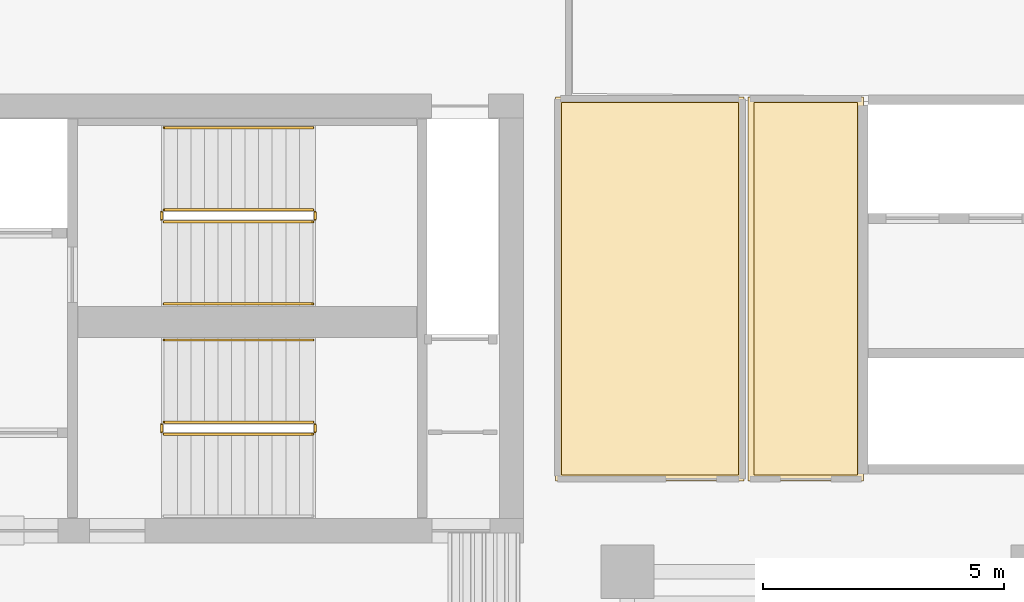
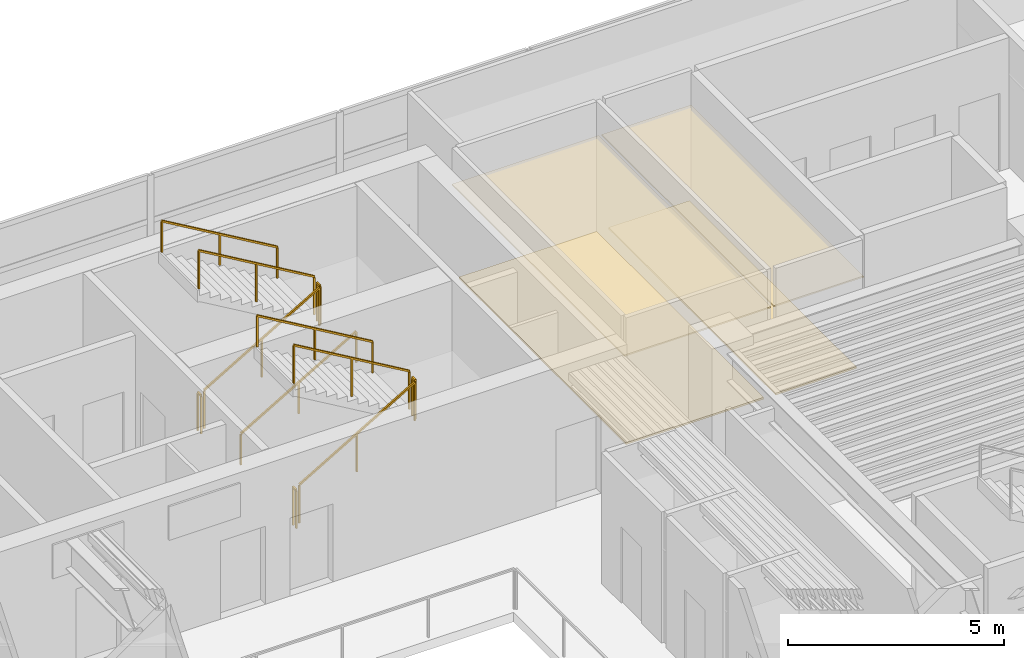
# One storey, part 12 of 13: 11 railings, 4 coverings.
"""IFC4 building model written with IfcOpenShell, lengths in metres."""

from ifc_helpers import new_model, si_unit, direction, frame, origin, origin_2d, place, context, subcontext, project, spatial, polyline, rectangle, outline, extrude, material, layer, layer_set, type_object, element, save


model = new_model("IFC4")

# Units and contexts
model_context = context("Model", 3, precision=1e-05, world=origin(), true_north=direction((0.0, 1.0)))
body_context = subcontext(model_context, "Body", "Model", "MODEL_VIEW")
ifc_project = project(units=[si_unit("LENGTHUNIT", "METRE"), si_unit("AREAUNIT", "SQUARE_METRE"), si_unit("VOLUMEUNIT", "CUBIC_METRE"), si_unit("PLANEANGLEUNIT", "RADIAN"), si_unit("MASSUNIT", "GRAM", prefix="KILO")], contexts=[model_context])

# Site, building, storey
site_placement = place(None, origin())
site = spatial("IfcSite", under=ifc_project, at=site_placement, CompositionType="ELEMENT")
building_placement = place(site_placement, origin())
building = spatial("IfcBuilding", under=site, at=building_placement, Name="Caeloran Harvest Quay", CompositionType="ELEMENT")
storey_placement = place(building_placement, frame((0.0, 0.0, 170.64990234375)))
storey = spatial("IfcBuildingStorey", under=building, at=storey_placement, Name="L40", CompositionType="ELEMENT", Elevation=170.64990234375)

# Coverings
ifc_material_1 = material(Name="Perforated Mineral-Fibre Acoustic Ceiling Tile", Category="ceiling")
ifc_layer_1 = layer(ifc_material_1, 0.0400390625, Name="Perforated Mineral-Fibre Acoustic Ceiling Tile")
ifc_layer_set_1 = layer_set([ifc_layer_1], Name="Perforated Mineral-Fibre Acoustic Ceiling Tile")
covering_type_1 = type_object("IfcCoveringType", Name="COV-CEILING-ACOUSTIC", PredefinedType="CEILING", material=ifc_layer_set_1)
covering_1_placement = place(storey_placement, frame((0.0, 0.0, 2.60009765625)))
element("IfcCovering", 1, at=covering_1_placement, inside=storey, type_object=covering_type_1, Name="L40 Crop Phenotyping West Laboratory Acoustic Ceiling", PredefinedType="CEILING", context=body_context, shape_type="SweptSolid", body=[
    extrude(outline(polyline([(27.919921875, 40.840087890625), (27.919921875, 32.8798828125), (24.010009765625, 32.8798828125), (24.010009765625, 40.840087890625), (27.919921875, 40.840087890625)])), origin(), (0.0, 0.0, 1.0), 0.0400390625),
])
covering_2_placement = place(storey_placement, frame((0.0, 0.0, 2.60009765625)))
element("IfcCovering", 2, at=covering_2_placement, inside=storey, type_object=covering_type_1, Name="L40 Genomics Sequencing East Studio Acoustic Ceiling", PredefinedType="CEILING", context=body_context, shape_type="SweptSolid", body=[
    extrude(outline(polyline([(30.389892578125, 40.840087890625), (30.389892578125, 32.8798828125), (28.0, 32.8798828125), (28.0, 40.840087890625), (30.389892578125, 40.840087890625)])), origin(), (0.0, 0.0, 1.0), 0.0400390625),
])
ifc_material_2 = material(Name="Calcium-Sulphate Raised Access Floor and Terrazzo Finish", Category="flooring")
ifc_layer_2 = layer(ifc_material_2, 0.050048828125, Name="Calcium-Sulphate Raised Access Floor and Terrazzo Finish")
ifc_layer_set_2 = layer_set([ifc_layer_2], Name="Calcium-Sulphate Raised Access Floor and Terrazzo Finish")
covering_type_2 = type_object("IfcCoveringType", Name="COV-FLOOR-RAISED", PredefinedType="FLOORING", material=ifc_layer_set_2)
covering_3_placement = place(storey_placement, origin())
element("IfcCovering", 3, at=covering_3_placement, inside=storey, type_object=covering_type_2, Name="L40 Crop Phenotyping West Laboratory Raised Finish Flooring", PredefinedType="FLOORING", context=body_context, shape_type="SweptSolid", body=[
    extrude(outline(polyline([(27.800048828125, 40.719970703125), (27.800048828125, 33.0), (24.1298828125, 33.0), (24.1298828125, 40.719970703125), (27.800048828125, 40.719970703125)])), origin(), (0.0, 0.0, 1.0), 0.050048828125),
])
covering_4_placement = place(storey_placement, origin())
element("IfcCovering", 4, at=covering_4_placement, inside=storey, type_object=covering_type_2, Name="L40 Genomics Sequencing East Studio Raised Finish Flooring", PredefinedType="FLOORING", context=body_context, shape_type="SweptSolid", body=[
    extrude(outline(polyline([(30.27001953125, 40.719970703125), (30.27001953125, 33.0), (28.1201171875, 33.0), (28.1201171875, 40.719970703125), (30.27001953125, 40.719970703125)])), origin(), (0.0, 0.0, 1.0), 0.050048828125),
])

# Railings
ifc_material_3 = material(Name="Painted Steel Baluster and Top-Rail Stair Guard", Category="steel")
ifc_layer_3 = layer(ifc_material_3, 0.050048828125, Name="Painted Steel Baluster and Top-Rail Stair Guard")
ifc_layer_set_3 = layer_set([ifc_layer_3], Name="Painted Steel Baluster and Top-Rail Stair Guard")
railing_type_1 = type_object("IfcRailingType", Name="STAIR-GUARD-1100", PredefinedType="GUARDRAIL", material=ifc_layer_set_3)
railing_1_placement = place(storey_placement, frame((15.89990234375, 38.25, 0.164794921875)))
element("IfcRailing", 5, at=railing_1_placement, inside=storey, type_object=railing_type_1, Name="L40 ST-C1 stair guard 1", PredefinedType="GUARDRAIL", context=body_context, shape_type="SweptSolid", body=[
    extrude(rectangle(XDim=0.048095703125, YDim=0.048095703125, at=origin_2d()), frame((0.0, 0.0, 1.076171875), z_axis=(0.862118610829, 0.0, 0.506706523406), x_axis=(0.0, 1.0, 0.0)), (0.0, 0.0, 1.0), 3.57275390625),
    extrude(rectangle(XDim=0.0419921875, YDim=0.0419921875, at=origin_2d()), origin(), (0.0, 0.0, 1.0), 1.052001953125),
    extrude(rectangle(XDim=0.0419921875, YDim=0.0419921875, at=origin_2d()), frame((1.5400390625, 0.0, 0.9052734375)), (0.0, 0.0, 1.0), 1.052001953125),
    extrude(rectangle(XDim=0.0419921875, YDim=0.0419921875, at=origin_2d()), frame((3.080078125, 0.0, 1.810302734375)), (0.0, 0.0, 1.0), 1.052001953125),
])
railing_2_placement = place(storey_placement, frame((19.030029296875, 38.300048828125, 1.97509765625)))
element("IfcRailing", 6, at=railing_2_placement, inside=storey, type_object=railing_type_1, Name="L40 ST-C1 stair guard 2", PredefinedType="GUARDRAIL", context=body_context, shape_type="SweptSolid", body=[
    extrude(rectangle(XDim=0.048095703125, YDim=0.048095703125, at=origin_2d()), frame((0.0, 0.0, 1.076171875), z_axis=(0.0, 1.0, 0.0), x_axis=(-1.0, 0.0, 0.0)), (0.0, 0.0, 1.0), 0.14990234375),
    extrude(rectangle(XDim=0.0419921875, YDim=0.0419921875, at=origin_2d()), origin(), (0.0, 0.0, 1.0), 1.052001953125),
    extrude(rectangle(XDim=0.0419921875, YDim=0.0419921875, at=origin_2d()), frame((0.0, 0.14990234375, 0.0)), (0.0, 0.0, 1.0), 1.052001953125),
])
railing_3_placement = place(storey_placement, frame((18.97998046875, 38.5, 2.1396484375)))
element("IfcRailing", 7, at=railing_3_placement, inside=storey, type_object=railing_type_1, Name="L40 ST-C1 stair guard 3", PredefinedType="GUARDRAIL", context=body_context, shape_type="SweptSolid", body=[
    extrude(rectangle(XDim=0.048095703125, YDim=0.048095703125, at=origin_2d()), frame((0.0, 0.0, 1.076171875), z_axis=(-0.862088758681, 0.0, 0.506757310905), x_axis=(0.0, -1.0, 0.0)), (0.0, 0.0, 1.0), 3.57275390625),
    extrude(rectangle(XDim=0.0419921875, YDim=0.0419921875, at=origin_2d()), origin(), (0.0, 0.0, 1.0), 1.052001953125),
    extrude(rectangle(XDim=0.0419921875, YDim=0.0419921875, at=origin_2d()), frame((-1.5400390625, 0.0, 0.9052734375)), (0.0, 0.0, 1.0), 1.052001953125),
    extrude(rectangle(XDim=0.0419921875, YDim=0.0419921875, at=origin_2d()), frame((-3.080078125, 0.0, 1.810546875)), (0.0, 0.0, 1.0), 1.052001953125),
])
railing_4_placement = place(storey_placement, frame((15.85009765625, 38.300048828125, 0.0)))
element("IfcRailing", 8, at=railing_4_placement, inside=storey, type_object=railing_type_1, Name="L40 ST-C1 stair guard 4", PredefinedType="GUARDRAIL", context=body_context, shape_type="SweptSolid", body=[
    extrude(rectangle(XDim=0.048095703125, YDim=0.048095703125, at=origin_2d()), frame((0.0, 0.0, 1.076171875), z_axis=(0.0, 1.0, 0.0), x_axis=(-1.0, 0.0, 0.0)), (0.0, 0.0, 1.0), 0.14990234375),
    extrude(rectangle(XDim=0.0419921875, YDim=0.0419921875, at=origin_2d()), origin(), (0.0, 0.0, 1.0), 1.052001953125),
    extrude(rectangle(XDim=0.0419921875, YDim=0.0419921875, at=origin_2d()), frame((0.0, 0.14990234375, 0.0)), (0.0, 0.0, 1.0), 1.052001953125),
])
railing_5_placement = place(storey_placement, frame((15.89990234375, 33.85009765625, 0.164794921875)))
element("IfcRailing", 9, at=railing_5_placement, inside=storey, type_object=railing_type_1, Name="L40 ST-C2 stair guard 1", PredefinedType="GUARDRAIL", context=body_context, shape_type="SweptSolid", body=[
    extrude(rectangle(XDim=0.048095703125, YDim=0.048095703125, at=origin_2d()), frame((0.0, 0.0, 1.076171875), z_axis=(0.862118610829, 0.0, 0.506706523406), x_axis=(0.0, 1.0, 0.0)), (0.0, 0.0, 1.0), 3.57275390625),
    extrude(rectangle(XDim=0.0419921875, YDim=0.0419921875, at=origin_2d()), origin(), (0.0, 0.0, 1.0), 1.052001953125),
    extrude(rectangle(XDim=0.0419921875, YDim=0.0419921875, at=origin_2d()), frame((1.5400390625, 0.0, 0.9052734375)), (0.0, 0.0, 1.0), 1.052001953125),
    extrude(rectangle(XDim=0.0419921875, YDim=0.0419921875, at=origin_2d()), frame((3.080078125, 0.0, 1.810302734375)), (0.0, 0.0, 1.0), 1.052001953125),
])
railing_6_placement = place(storey_placement, frame((19.030029296875, 33.89990234375, 1.97509765625)))
element("IfcRailing", 10, at=railing_6_placement, inside=storey, type_object=railing_type_1, Name="L40 ST-C2 stair guard 2", PredefinedType="GUARDRAIL", context=body_context, shape_type="SweptSolid", body=[
    extrude(rectangle(XDim=0.048095703125, YDim=0.048095703125, at=origin_2d()), frame((0.0, 0.0, 1.076171875), z_axis=(0.0, 1.0, 0.0), x_axis=(-1.0, 0.0, 0.0)), (0.0, 0.0, 1.0), 0.150146484375),
    extrude(rectangle(XDim=0.0419921875, YDim=0.0419921875, at=origin_2d()), origin(), (0.0, 0.0, 1.0), 1.052001953125),
    extrude(rectangle(XDim=0.0419921875, YDim=0.0419921875, at=origin_2d()), frame((0.0, 0.150146484375, 0.0)), (0.0, 0.0, 1.0), 1.052001953125),
])
railing_7_placement = place(storey_placement, frame((18.97998046875, 34.10009765625, 2.1396484375)))
element("IfcRailing", 11, at=railing_7_placement, inside=storey, type_object=railing_type_1, Name="L40 ST-C2 stair guard 3", PredefinedType="GUARDRAIL", context=body_context, shape_type="SweptSolid", body=[
    extrude(rectangle(XDim=0.048095703125, YDim=0.048095703125, at=origin_2d()), frame((0.0, 0.0, 1.076171875), z_axis=(-0.862088758681, 0.0, 0.506757310905), x_axis=(0.0, -1.0, 0.0)), (0.0, 0.0, 1.0), 3.57275390625),
    extrude(rectangle(XDim=0.0419921875, YDim=0.0419921875, at=origin_2d()), origin(), (0.0, 0.0, 1.0), 1.052001953125),
    extrude(rectangle(XDim=0.0419921875, YDim=0.0419921875, at=origin_2d()), frame((-1.5400390625, 0.0, 0.9052734375)), (0.0, 0.0, 1.0), 1.052001953125),
    extrude(rectangle(XDim=0.0419921875, YDim=0.0419921875, at=origin_2d()), frame((-3.080078125, 0.0, 1.810546875)), (0.0, 0.0, 1.0), 1.052001953125),
])
railing_8_placement = place(storey_placement, frame((15.85009765625, 33.89990234375, 0.0)))
element("IfcRailing", 12, at=railing_8_placement, inside=storey, type_object=railing_type_1, Name="L40 ST-C2 stair guard 4", PredefinedType="GUARDRAIL", context=body_context, shape_type="SweptSolid", body=[
    extrude(rectangle(XDim=0.048095703125, YDim=0.048095703125, at=origin_2d()), frame((0.0, 0.0, 1.076171875), z_axis=(0.0, 1.0, 0.0), x_axis=(-1.0, 0.0, 0.0)), (0.0, 0.0, 1.0), 0.150146484375),
    extrude(rectangle(XDim=0.0419921875, YDim=0.0419921875, at=origin_2d()), origin(), (0.0, 0.0, 1.0), 1.052001953125),
    extrude(rectangle(XDim=0.0419921875, YDim=0.0419921875, at=origin_2d()), frame((0.0, 0.150146484375, 0.0)), (0.0, 0.0, 1.0), 1.052001953125),
])
ifc_material_4 = material(Name="Brushed Stainless Steel Grade 304", Category="steel")
ifc_layer_4 = layer(ifc_material_4, 0.050048828125, Name="Brushed Stainless Steel Grade 304")
ifc_layer_set_4 = layer_set([ifc_layer_4], Name="Brushed Stainless Steel Grade 304")
railing_type_2 = type_object("IfcRailingType", Name="STAIR-HANDRAIL-900", PredefinedType="HANDRAIL", material=ifc_layer_set_4)
railing_9_placement = place(storey_placement, frame((15.89990234375, 36.550048828125, 0.164794921875)))
element("IfcRailing", 13, at=railing_9_placement, inside=storey, type_object=railing_type_2, Name="L40 ST-C1 stair handrail 1", PredefinedType="HANDRAIL", context=body_context, shape_type="SweptSolid", body=[
    extrude(rectangle(XDim=0.048095703125, YDim=0.048095703125, at=origin_2d()), frame((0.0, 0.0, 0.8759765625), z_axis=(0.862118610829, 0.0, 0.506706523406), x_axis=(0.0, 1.0, 0.0)), (0.0, 0.0, 1.0), 3.57275390625),
    extrude(rectangle(XDim=0.0419921875, YDim=0.0419921875, at=origin_2d()), origin(), (0.0, 0.0, 1.0), 0.851806640625),
    extrude(rectangle(XDim=0.0419921875, YDim=0.0419921875, at=origin_2d()), frame((1.5400390625, 0.0, 0.9052734375)), (0.0, 0.0, 1.0), 0.851806640625),
    extrude(rectangle(XDim=0.0419921875, YDim=0.0419921875, at=origin_2d()), frame((3.080078125, 0.0, 1.810302734375)), (0.0, 0.0, 1.0), 0.851806640625),
])
for number, where, name in (
    (14, (18.97998046875, 40.199951171875, 2.1396484375), "L40 ST-C1 stair handrail 2"),
    (15, (18.97998046875, 35.800048828125, 2.1396484375), "L40 ST-C2 stair handrail 2"),
):
    element("IfcRailing", number, at=place(storey_placement, frame(where)), inside=storey, type_object=railing_type_2, Name=name, PredefinedType="HANDRAIL", context=body_context, shape_type="SweptSolid", body=[
        extrude(rectangle(XDim=0.048095703125, YDim=0.048095703125, at=origin_2d()), frame((0.0, 0.0, 0.8759765625), z_axis=(-0.862088758681, 0.0, 0.506757310905), x_axis=(0.0, -1.0, 0.0)), (0.0, 0.0, 1.0), 3.57275390625),
        extrude(rectangle(XDim=0.0419921875, YDim=0.0419921875, at=origin_2d()), origin(), (0.0, 0.0, 1.0), 0.851806640625),
        extrude(rectangle(XDim=0.0419921875, YDim=0.0419921875, at=origin_2d()), frame((-1.5400390625, 0.0, 0.9052734375)), (0.0, 0.0, 1.0), 0.851806640625),
        extrude(rectangle(XDim=0.0419921875, YDim=0.0419921875, at=origin_2d()), frame((-3.080078125, 0.0, 1.810546875)), (0.0, 0.0, 1.0), 0.851806640625),
    ])

save(model, "model.ifc")
